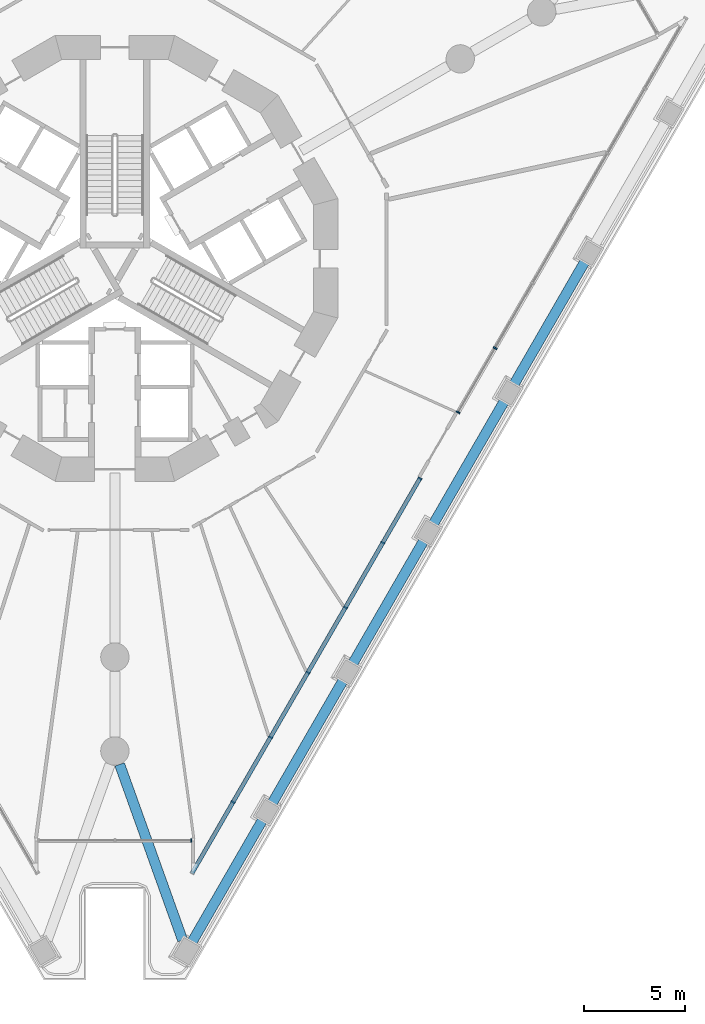
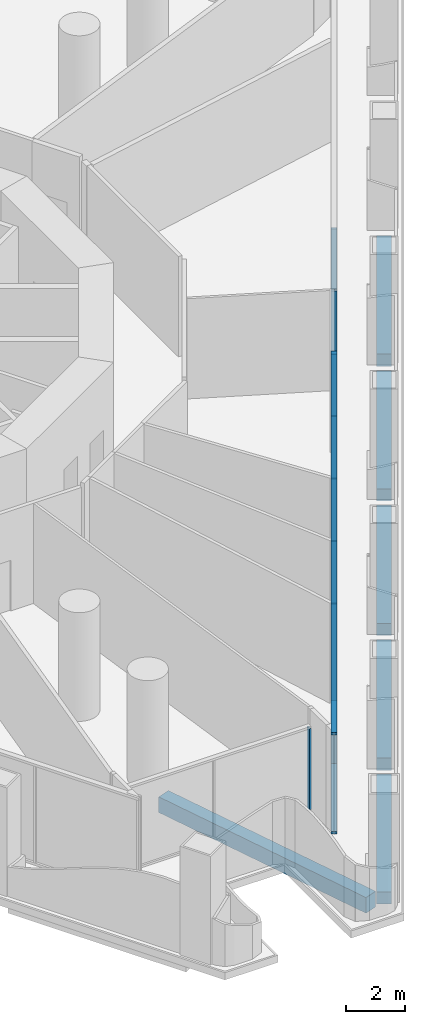
# One storey, part 4 of 21: 11 members, 6 beams, 3 elements without a shape of their own.
"""IFC4 building model written with IfcOpenShell, lengths in metres."""

import ifcopenshell
import ifcopenshell.guid

model = None  # the IFC model being written
_history = None  # IfcOwnerHistory: only IFC2X3 demands one
_inside = {}  # id of a spatial element -> (the spatial element, [elements in it])
_under = {}  # id of a project, library or spatial element -> (it, [spatial elements below it])
_declared = {}  # id of a project -> (the project, [libraries it declares])
_typed = {}  # id of a type object -> (the type object, [elements of that type])
_made_of = {}  # id of a material, layer set ... -> (it, [elements and type objects made of it])


def new_model(schema):
    """Start an empty IFC model of exactly this schema.

    Asked for "IFC4X3", IfcOpenShell would pick the latest addendum, in which some entities
    have other attributes; the version numbers below select the first issue.
    IFC2X3 requires an IfcOwnerHistory on every rooted entity: one is made here for all.
    """
    global model, _history
    if schema == "IFC4X3":
        model = ifcopenshell.file(schema_version=(4, 3, 0, 0))
    else:
        model = ifcopenshell.file(schema=schema)
    _inside.clear()
    _under.clear()
    _declared.clear()
    _typed.clear()
    _made_of.clear()
    _history = None
    if model.schema == "IFC2X3":
        org = make("IfcOrganization", Name="unknown")
        user = make(
            "IfcPersonAndOrganization",
            ThePerson=make("IfcPerson", FamilyName="unknown"),
            TheOrganization=org,
        )
        app = make(
            "IfcApplication",
            ApplicationDeveloper=org,
            Version="unknown",
            ApplicationFullName="unknown",
            ApplicationIdentifier="unknown",
        )
        _history = make(
            "IfcOwnerHistory",
            OwningUser=user,
            OwningApplication=app,
            ChangeAction="ADDED",
            CreationDate=0,
        )
    return model


def make(cls, **values):
    """One entity of the class cls with the attributes given. An attribute that is None is left unset."""
    return model.create_entity(
        cls, **{name: value for name, value in values.items() if value is not None}
    )


def rooted(cls, **values):
    """An entity with a GlobalId (a new one), such as an element, a storey or a relation."""
    return make(cls, GlobalId=ifcopenshell.guid.new(), OwnerHistory=_history, **values)


def si_unit(unit_type, name, prefix=None):
    """IfcSIUnit, for example si_unit("LENGTHUNIT", "METRE", prefix="MILLI")."""
    return make("IfcSIUnit", UnitType=unit_type, Prefix=prefix, Name=name)


def assignment(units):
    """IfcUnitAssignment: the units of a project."""
    return None if units is None else make("IfcUnitAssignment", Units=units)


def point(xyz):
    """IfcCartesianPoint."""
    return None if xyz is None else make("IfcCartesianPoint", Coordinates=xyz)


def direction(xyz):
    """IfcDirection."""
    return None if xyz is None else make("IfcDirection", DirectionRatios=xyz)


def frame(location, z_axis=None, x_axis=None):
    """IfcAxis2Placement3D, a coordinate frame: its origin and axes. An axis left out is left unset."""
    return make(
        "IfcAxis2Placement3D",
        Location=point(location),
        Axis=direction(z_axis),
        RefDirection=direction(x_axis),
    )


def frame_2d(location, x_axis=None):
    """IfcAxis2Placement2D, a coordinate frame in the plane: its origin and x axis."""
    return make(
        "IfcAxis2Placement2D", Location=point(location), RefDirection=direction(x_axis)
    )


def origin():
    """The frame at (0, 0, 0) with its axes left unset."""
    return frame((0.0, 0.0, 0.0))


def origin_2d():
    """The frame at (0, 0) in the plane with its x axis left unset."""
    return frame_2d((0.0, 0.0))


def place(relative_to, where):
    """IfcLocalPlacement: puts the frame where relative to a parent placement (None: the world)."""
    return make(
        "IfcLocalPlacement", PlacementRelTo=relative_to, RelativePlacement=where
    )


def context(
    kind, dimensions, precision=None, world=None, true_north=None, identifier=None
):
    """IfcGeometricRepresentationContext, for example the 3D "Model" context."""
    return make(
        "IfcGeometricRepresentationContext",
        ContextIdentifier=identifier,
        ContextType=kind,
        CoordinateSpaceDimension=dimensions,
        Precision=precision,
        WorldCoordinateSystem=world,
        TrueNorth=true_north,
    )


def subcontext(parent, identifier, kind, view, scale=None):
    """IfcGeometricRepresentationSubContext, for example "Body" below "Model"."""
    return make(
        "IfcGeometricRepresentationSubContext",
        ContextIdentifier=identifier,
        ContextType=kind,
        ParentContext=parent,
        TargetScale=scale,
        TargetView=view,
    )


def project(units=None, contexts=None):
    """IfcProject with its units and contexts."""
    return rooted(
        "IfcProject",
        Name="project",
        RepresentationContexts=contexts,
        UnitsInContext=assignment(units),
    )


def spatial(cls, under=None, at=None, **own):
    """A site, building, storey or space (cls), placed at a placement, below another one or the project."""
    s = rooted(cls, ObjectPlacement=at, **own)
    if under is not None:
        _under.setdefault(under.id(), (under, []))[1].append(s)
    return s


def profile(cls, at=None, kind="AREA", **sizes):
    """A parametric profile (cls). Its sizes go by their IFC names, for example OverallWidth=200.0."""
    return make(cls, ProfileType=kind, Position=at, **sizes)


def rectangle(**sizes):
    """IfcRectangleProfileDef."""
    return profile("IfcRectangleProfileDef", **sizes)


def extrude(swept, where, along, depth):
    """IfcExtrudedAreaSolid: the profile swept, set in the frame where, extruded along a direction by depth."""
    return make(
        "IfcExtrudedAreaSolid",
        SweptArea=swept,
        Position=where,
        ExtrudedDirection=direction(along),
        Depth=depth,
    )


def shape(context_of_items, identifier, shape_type, items):
    """IfcShapeRepresentation: the items that make up one representation, for example the "Body"."""
    return make(
        "IfcShapeRepresentation",
        ContextOfItems=context_of_items,
        RepresentationIdentifier=identifier,
        RepresentationType=shape_type,
        Items=items,
    )


def material(Name=None, Category=None):
    """IfcMaterial."""
    return make("IfcMaterial", Name=Name, Category=Category)


def layer(
    of_material, thickness, ventilated=None, Name=None, Category=None, Priority=None
):
    """IfcMaterialLayer: one layer of a wall or slab, of a material (None: an air gap)."""
    return make(
        "IfcMaterialLayer",
        Material=of_material,
        LayerThickness=thickness,
        IsVentilated=ventilated,
        Name=Name,
        Category=Category,
        Priority=Priority,
    )


def layer_set(layers, Name=None):
    """IfcMaterialLayerSet."""
    return make("IfcMaterialLayerSet", MaterialLayers=layers, LayerSetName=Name)


def material_profile(
    of_material, cross_section, Name=None, Category=None, Priority=None
):
    """IfcMaterialProfile: a cross section and its material."""
    return make(
        "IfcMaterialProfile",
        Name=Name,
        Material=of_material,
        Profile=cross_section,
        Priority=Priority,
        Category=Category,
    )


def profile_set(profiles, Name=None, composite=None):
    """IfcMaterialProfileSet."""
    return make(
        "IfcMaterialProfileSet",
        Name=Name,
        MaterialProfiles=profiles,
        CompositeProfile=composite,
    )


def made_of(thing, what):
    """Note that an element or type object is made of a material, layer set ...; save() writes the relation."""
    if what is not None:
        _made_of.setdefault(what.id(), (what, []))[1].append(thing)
    return thing


def type_object(cls, material=None, **own):
    """A type object (cls), such as IfcWallType, which elements share."""
    return made_of(rooted(cls, **own), material)


def element(
    cls,
    number,
    at=None,
    inside=None,
    cuts=None,
    type_object=None,
    material=None,
    context=None,
    identifier="Body",
    shape_type=None,
    held_by="IfcProductDefinitionShape",
    body=None,
    shapes=None,
    **own,
):
    """One element of the class cls, such as IfcWall. Its Tag is "e" and its number.

    at: its placement. inside: the storey or other place that contains it. cuts: it is an
    opening in that element (IfcRelVoidsElement). A single representation is given by context,
    identifier, shape_type and body (its items); several are given by shapes. held_by: the class
    of the entity that holds the representations. save() writes the other relations.
    """
    e = rooted(cls, Tag="e%d" % number, ObjectPlacement=at, **own)
    if body is not None:
        shapes = [shape(context, identifier, shape_type, body)]
    if shapes is not None:
        e.Representation = make(held_by, Representations=shapes)
    if inside is not None:
        _inside.setdefault(inside.id(), (inside, []))[1].append(e)
    if cuts is not None:
        rooted(
            "IfcRelVoidsElement", RelatingBuildingElement=cuts, RelatedOpeningElement=e
        )
    if type_object is not None:
        _typed.setdefault(type_object.id(), (type_object, []))[1].append(e)
    return made_of(e, material)


def aggregate(whole, parts):
    """IfcRelAggregates: a whole, such as a stair, and the parts it consists of."""
    return rooted("IfcRelAggregates", RelatingObject=whole, RelatedObjects=parts)


def save(model, path):
    """Write the relations noted so far, then the file.

    IfcRelAggregates (storeys below a building ...), IfcRelContainedInSpatialStructure (elements
    in a storey), IfcRelDefinesByType, IfcRelAssociatesMaterial and IfcRelDeclares: one each for
    every whole, place, type object, material and project.
    """
    for whole, parts in _under.values():
        aggregate(whole, parts)
    for where, things in _inside.values():
        rooted(
            "IfcRelContainedInSpatialStructure",
            RelatedElements=things,
            RelatingStructure=where,
        )
    for kind, things in _typed.values():
        rooted("IfcRelDefinesByType", RelatedObjects=things, RelatingType=kind)
    for what, things in _made_of.values():
        rooted("IfcRelAssociatesMaterial", RelatedObjects=things, RelatingMaterial=what)
    for by, libraries in _declared.values():
        rooted("IfcRelDeclares", RelatingContext=by, RelatedDefinitions=libraries)
    model.write(path)


model = new_model("IFC4")

# Units and contexts
model_context = context("Model", 3, precision=1e-05, world=origin(), true_north=direction((0.0, 1.0)))
body_context = subcontext(model_context, "Body", "Model", "MODEL_VIEW")
ifc_project = project(units=[si_unit("LENGTHUNIT", "METRE"), si_unit("AREAUNIT", "SQUARE_METRE"), si_unit("VOLUMEUNIT", "CUBIC_METRE"), si_unit("PLANEANGLEUNIT", "RADIAN"), si_unit("MASSUNIT", "GRAM", prefix="KILO")], contexts=[model_context])

# Site, building, storey
site_placement = place(None, origin())
site = spatial("IfcSite", under=ifc_project, at=site_placement, CompositionType="ELEMENT")
building_placement = place(site_placement, origin())
building = spatial("IfcBuilding", under=site, at=building_placement, Name="Trine Commons Tower", CompositionType="ELEMENT")
storey_placement = place(building_placement, frame((0.0, 0.0, 27.0)))
storey = spatial("IfcBuildingStorey", under=building, at=storey_placement, Name="L05", CompositionType="ELEMENT", Elevation=27.0)

# Curtain wall, member
ifc_material_1 = material(Name="Corner pocket glazing: anodised aluminium frame with low-emissivity double glazed unit, laminated", Category="aluminium")
ifc_layer_1 = layer(ifc_material_1, 0.179931640625)
ifc_layer_set_1 = layer_set([ifc_layer_1], Name="Corner pocket glazing: anodised aluminium frame with low-emissivity double glazed unit, laminated")
curtain_wall_type_1 = type_object("IfcCurtainWallType", Name="Corner pocket glazing curtain wall CW8", PredefinedType="NOTDEFINED", material=ifc_layer_set_1)
curtain_wall_1_placement = place(storey_placement, origin())
curtain_wall_1 = element("IfcCurtainWall", 1, at=curtain_wall_1_placement, inside=storey, type_object=curtain_wall_type_1, Name="Corner pocket glazing L05 P3.1", PredefinedType="NOTDEFINED")
ifc_material_2 = material(Name="Anodised aluminium, bronze finish", Category="aluminium")
ifc_material_profile_1 = material_profile(ifc_material_2, rectangle(XDim=0.179931640625, YDim=0.06494140625, at=origin_2d()), Name="Mullion 65x180")
ifc_profile_set_1 = profile_set([ifc_material_profile_1], Name="Anodised aluminium, bronze finish")
member_type_1 = type_object("IfcMemberType", Name="Mullion 65x180, Anodised aluminium, bronze finish", PredefinedType="MULLION", material=ifc_profile_set_1)
member_1_placement = place(storey_placement, frame((83.767578125, 33.74072265625, 0.090087890625), z_axis=(0.0, 0.0, 1.0), x_axis=(0.0, -1.0, 0.0)))
member_1 = element("IfcMember", 2, at=member_1_placement, type_object=member_type_1, Name="CW8 mullion 1.1", PredefinedType="MULLION", context=body_context, shape_type="SweptSolid", body=[
    extrude(rectangle(XDim=0.179931640625, YDim=0.06494140625, at=origin_2d()), origin(), (0.0, 0.0, 1.0), 3.349853515625),
])
aggregate(curtain_wall_1, [member_1])

# Curtain wall, members
ifc_material_3 = material(Name="Podium glazing: anodised aluminium frame with low-emissivity double glazed unit", Category="aluminium")
ifc_layer_2 = layer(ifc_material_3, 0.199951171875)
ifc_layer_set_2 = layer_set([ifc_layer_2], Name="Podium glazing: anodised aluminium frame with low-emissivity double glazed unit")
curtain_wall_type_2 = type_object("IfcCurtainWallType", Name="Podium glazing curtain wall CW3", PredefinedType="NOTDEFINED", material=ifc_layer_set_2)
curtain_wall_2_placement = place(storey_placement, origin())
curtain_wall_2 = element("IfcCurtainWall", 3, at=curtain_wall_2_placement, inside=storey, type_object=curtain_wall_type_2, Name="Podium glazing L05 F2.1", PredefinedType="NOTDEFINED")
ifc_material_profile_2 = material_profile(ifc_material_2, rectangle(XDim=0.199951171875, YDim=0.074951171875, at=origin_2d()), Name="Mullion 75x200")
ifc_profile_set_2 = profile_set([ifc_material_profile_2], Name="Anodised aluminium, bronze finish")
member_type_2 = type_object("IfcMemberType", Name="Mullion 75x200, Anodised aluminium, bronze finish", PredefinedType="MULLION", material=ifc_profile_set_2)
member_2_placement = place(storey_placement, frame((98.782470703125, 58.06298828125, 0.10009765625), z_axis=(0.0, 0.0, 1.0), x_axis=(0.866025403784, -0.5, 0.0)))
member_2 = element("IfcMember", 4, at=member_2_placement, type_object=member_type_2, Name="CW3 mullion 6.1", PredefinedType="MULLION", context=body_context, shape_type="SweptSolid", body=[
    extrude(rectangle(XDim=0.199951171875, YDim=0.074951171875, at=origin_2d()), origin(), (0.0, 0.0, 1.0), 4.0),
])
member_3_placement = place(storey_placement, frame((96.95166015625, 54.89208984375, 0.10009765625), z_axis=(0.0, 0.0, 1.0), x_axis=(0.866025403784, -0.5, 0.0)))
member_3 = element("IfcMember", 5, at=member_3_placement, type_object=member_type_2, Name="CW3 mullion 7.1", PredefinedType="MULLION", context=body_context, shape_type="SweptSolid", body=[
    extrude(rectangle(XDim=0.199951171875, YDim=0.074951171875, at=origin_2d()), origin(), (0.0, 0.0, 1.0), 4.0),
])
aggregate(curtain_wall_2, [member_2, member_3])

curtain_wall_3_placement = place(storey_placement, origin())
curtain_wall_3 = element("IfcCurtainWall", 6, at=curtain_wall_3_placement, inside=storey, type_object=curtain_wall_type_2, Name="Podium glazing L05 F2.2", PredefinedType="NOTDEFINED")
member_4_placement = place(storey_placement, frame((95.064697265625, 51.623779296875, 0.10009765625), z_axis=(0.0, 0.0, 1.0), x_axis=(0.866025403784, -0.5, 0.0)))
member_4 = element("IfcMember", 7, at=member_4_placement, type_object=member_type_2, Name="CW3 mullion 1.1", PredefinedType="MULLION", context=body_context, shape_type="SweptSolid", body=[
    extrude(rectangle(XDim=0.199951171875, YDim=0.074951171875, at=origin_2d()), origin(), (0.0, 0.0, 1.0), 4.0),
])
member_5_placement = place(storey_placement, frame((93.234130859375, 48.452880859375, 0.10009765625), z_axis=(0.0, 0.0, 1.0), x_axis=(0.866025403784, -0.5, 0.0)))
member_5 = element("IfcMember", 8, at=member_5_placement, type_object=member_type_2, Name="CW3 mullion 2.1", PredefinedType="MULLION", context=body_context, shape_type="SweptSolid", body=[
    extrude(rectangle(XDim=0.199951171875, YDim=0.074951171875, at=origin_2d()), origin(), (0.0, 0.0, 1.0), 4.0),
])
member_6_placement = place(storey_placement, frame((91.384521484375, 45.24951171875, 0.10009765625), z_axis=(0.0, 0.0, 1.0), x_axis=(0.866025403784, -0.5, 0.0)))
member_6 = element("IfcMember", 9, at=member_6_placement, type_object=member_type_2, Name="CW3 mullion 3.1", PredefinedType="MULLION", context=body_context, shape_type="SweptSolid", body=[
    extrude(rectangle(XDim=0.199951171875, YDim=0.074951171875, at=origin_2d()), origin(), (0.0, 0.0, 1.0), 4.0),
])
member_7_placement = place(storey_placement, frame((89.53515625, 42.046142578125, 0.10009765625), z_axis=(0.0, 0.0, 1.0), x_axis=(0.866025403784, -0.5, 0.0)))
member_7 = element("IfcMember", 10, at=member_7_placement, type_object=member_type_2, Name="CW3 mullion 4.1", PredefinedType="MULLION", context=body_context, shape_type="SweptSolid", body=[
    extrude(rectangle(XDim=0.199951171875, YDim=0.074951171875, at=origin_2d()), origin(), (0.0, 0.0, 1.0), 4.0),
])
member_8_placement = place(storey_placement, frame((87.685791015625, 38.843017578125, 0.10009765625), z_axis=(0.0, 0.0, 1.0), x_axis=(0.866025403784, -0.5, 0.0)))
member_8 = element("IfcMember", 11, at=member_8_placement, type_object=member_type_2, Name="CW3 mullion 5.1", PredefinedType="MULLION", context=body_context, shape_type="SweptSolid", body=[
    extrude(rectangle(XDim=0.199951171875, YDim=0.074951171875, at=origin_2d()), origin(), (0.0, 0.0, 1.0), 4.0),
])
member_9_placement = place(storey_placement, frame((85.836181640625, 35.639404296875, 0.10009765625), z_axis=(0.0, 0.0, 1.0), x_axis=(0.866025403784, -0.5, 0.0)))
member_9 = element("IfcMember", 12, at=member_9_placement, type_object=member_type_2, Name="CW3 mullion 6.1", PredefinedType="MULLION", context=body_context, shape_type="SweptSolid", body=[
    extrude(rectangle(XDim=0.199951171875, YDim=0.074951171875, at=origin_2d()), origin(), (0.0, 0.0, 1.0), 4.0),
])

# Beams
ifc_material_4 = material(Name="Concrete C50/60", Category="concrete")
ifc_material_profile_3 = material_profile(ifc_material_4, rectangle(XDim=0.5, YDim=0.5, at=origin_2d()), Name="RC 500x500")
ifc_profile_set_3 = profile_set([ifc_material_profile_3], Name="Concrete C50/60")
beam_type_1 = type_object("IfcBeamType", Name="RC beam 500x500, C50/60", PredefinedType="BEAM", material=ifc_profile_set_3)
for number, where, z_axis, x_axis, name in (
    (13, (103.21533203125, 62.341064453125, -0.60009765625), (-0.499991645397, -0.866030227263, 0.0), (0.866030227263, -0.499991645397, 0.0), "Beam EB1-17 L05"),
    (14, (99.233642578125, 55.444580078125, -0.60009765625), (-0.499991645397, -0.866030227263, 0.0), (0.866030227263, -0.499991645397, 0.0), "Beam EB1-18 L05"),
    (15, (95.251953125, 48.548095703125, -0.60009765625), (-0.499991645397, -0.866030227263, 0.0), (0.866030227263, -0.499991645397, 0.0), "Beam EB1-19 L05"),
):
    element("IfcBeam", number, at=place(storey_placement, frame(where, z_axis=z_axis, x_axis=x_axis)), inside=storey, type_object=beam_type_1, Name=name, PredefinedType="BEAM", context=body_context, shape_type="SweptSolid", body=[
        extrude(rectangle(XDim=0.5, YDim=0.5, at=origin_2d()), origin(), (0.0, 0.0, 1.0), 7.01318359375),
    ])
beam_1_placement = place(storey_placement, frame((91.2705078125, 41.651611328125, -0.60009765625), z_axis=(-0.500017753321, -0.866015153657, 0.0), x_axis=(0.866015153657, -0.500017753321, 0.0)))
element("IfcBeam", 16, at=beam_1_placement, inside=storey, type_object=beam_type_1, Name="Beam EB1-20 L05", PredefinedType="BEAM", context=body_context, shape_type="SweptSolid", body=[
    extrude(rectangle(XDim=0.5, YDim=0.5, at=origin_2d()), origin(), (0.0, 0.0, 1.0), 7.013427734375),
])
beam_2_placement = place(storey_placement, frame((87.288818359375, 34.755126953125, -0.60009765625), z_axis=(-0.500022902661, -0.866012180523, 0.0), x_axis=(0.866012180523, -0.500022902661, 0.0)))
element("IfcBeam", 17, at=beam_2_placement, inside=storey, type_object=beam_type_1, Name="Beam EB1-21 L05", PredefinedType="BEAM", context=body_context, shape_type="SweptSolid", body=[
    extrude(rectangle(XDim=0.5, YDim=0.5, at=origin_2d()), origin(), (0.0, 0.0, 1.0), 6.963623046875),
])
ifc_material_profile_4 = material_profile(ifc_material_4, rectangle(XDim=0.5, YDim=0.64990234375, at=origin_2d()), Name="RC 500x650")
ifc_profile_set_4 = profile_set([ifc_material_profile_4], Name="Concrete C50/60")
beam_type_2 = type_object("IfcBeamType", Name="RC beam 500x650, C50/60", PredefinedType="BEAM", material=ifc_profile_set_4)
beam_3_placement = place(storey_placement, frame((83.345458984375, 28.8251953125, -0.675048828125), z_axis=(-0.337305880684, 0.941395104542, 0.0), x_axis=(-0.941395104542, -0.337305880684, 0.0)))
element("IfcBeam", 18, at=beam_3_placement, inside=storey, type_object=beam_type_2, Name="Beam CB1-05 L05", PredefinedType="BEAM", context=body_context, shape_type="SweptSolid", body=[
    extrude(rectangle(XDim=0.5, YDim=0.64990234375, at=origin_2d()), origin(), (0.0, 0.0, 1.0), 9.218994140625),
])

# Member
ifc_material_profile_5 = material_profile(ifc_material_2, rectangle(XDim=0.199951171875, YDim=0.10009765625, at=origin_2d()), Name="Transom 100x200")
ifc_profile_set_5 = profile_set([ifc_material_profile_5], Name="Anodised aluminium, bronze finish")
member_type_3 = type_object("IfcMemberType", Name="Transom 100x200, Anodised aluminium, bronze finish", PredefinedType="USERDEFINED", material=ifc_profile_set_5)
member_10_placement = place(storey_placement, frame((95.08349609375, 51.65625, 0.050048828125), z_axis=(-0.499996215711, -0.866027588634, 0.0), x_axis=(0.866027588634, -0.499996215711, 0.0)))
member_10 = element("IfcMember", 19, at=member_10_placement, type_object=member_type_3, Name="CW3 transom T00", ObjectType="TRANSOM", PredefinedType="USERDEFINED", context=body_context, shape_type="SweptSolid", body=[
    extrude(rectangle(XDim=0.199951171875, YDim=0.10009765625, at=origin_2d()), origin(), (0.0, 0.0, 1.0), 22.567138671875),
])

member_11_placement = place(storey_placement, frame((95.08349609375, 51.65625, 4.14990234375), z_axis=(-0.499996215711, -0.866027588634, 0.0), x_axis=(0.866027588634, -0.499996215711, 0.0)))
member_11 = element("IfcMember", 20, at=member_11_placement, type_object=member_type_3, Name="CW3 transom TH00", ObjectType="TRANSOM", PredefinedType="USERDEFINED", context=body_context, shape_type="SweptSolid", body=[
    extrude(rectangle(XDim=0.199951171875, YDim=0.10009765625, at=origin_2d()), origin(), (0.0, 0.0, 1.0), 22.567138671875),
])

aggregate(curtain_wall_3, [member_10, member_11, member_4, member_5, member_6, member_7, member_8, member_9])

save(model, "model.ifc")
